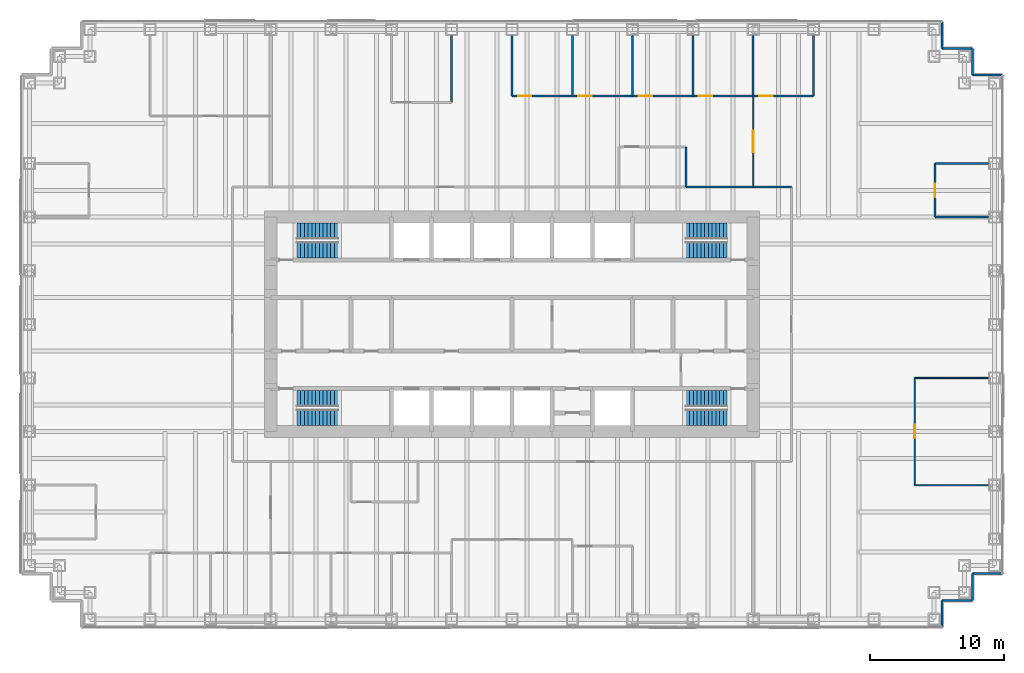
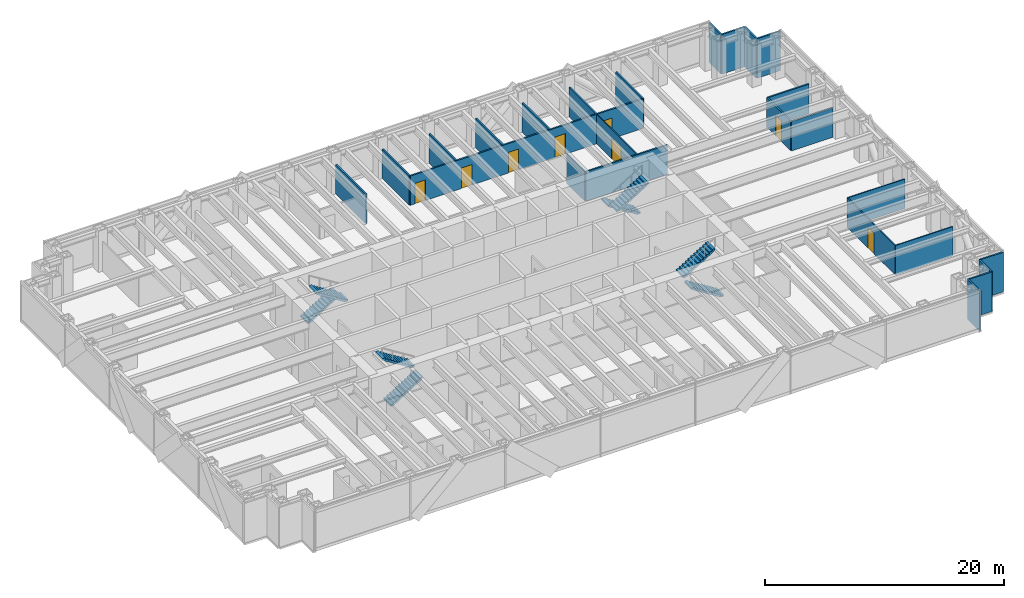
# One storey, part 14 of 15: 25 walls, 8 doors, 8 stair flights, 8 openings, 4 elements without a shape of their own.
"""IFC4 building model written with IfcOpenShell, lengths in metres."""

from ifc_helpers import new_model, si_unit, direction, frame, frame_2d, origin, place, context, subcontext, project, spatial, polyline, rectangle, outline, extrude, material, layer, layer_set, type_object, element, fill, aggregate, save


model = new_model("IFC4")

# Units and contexts
model_context = context("Model", 3, precision=1e-05, world=origin(), true_north=direction((0.0, 1.0)))
body_context = subcontext(model_context, "Body", "Model", "MODEL_VIEW")
ifc_project = project(units=[si_unit("LENGTHUNIT", "METRE"), si_unit("AREAUNIT", "SQUARE_METRE"), si_unit("VOLUMEUNIT", "CUBIC_METRE"), si_unit("PLANEANGLEUNIT", "RADIAN"), si_unit("MASSUNIT", "GRAM", prefix="KILO")], contexts=[model_context])

# Site, building, storey
site_placement = place(None, origin())
site = spatial("IfcSite", under=ifc_project, at=site_placement, CompositionType="ELEMENT")
building_placement = place(site_placement, origin())
building = spatial("IfcBuilding", under=site, at=building_placement, Name="Rheinbord Bourse Tower", CompositionType="ELEMENT")
storey_placement = place(building_placement, frame((0.0, 0.0, 163.5)))
storey = spatial("IfcBuildingStorey", under=building, at=storey_placement, Name="L36", CompositionType="ELEMENT", Elevation=163.5)

# Walls
ifc_material_1 = material(Name="Black metal rainscreen panel", Category="aluminium")
ifc_layer_1 = layer(ifc_material_1, 0.14990234375)
ifc_layer_set_1 = layer_set([ifc_layer_1], Name="CORNER PIER CLADDING 150")
wall_type_1 = type_object("IfcWallType", Name="CORNER PIER CLADDING 150", PredefinedType="ELEMENTEDWALL", material=ifc_layer_set_1)
wall_1_placement = place(storey_placement, frame((68.10009765625, 1.39990234375, 0.0), z_axis=(0.0, 0.0, 1.0), x_axis=(0.0, 1.0, 0.0)))
element("IfcWall", 1, at=wall_1_placement, inside=storey, type_object=wall_type_1, Name="Corner pier cladding L36 2", PredefinedType="ELEMENTEDWALL", context=body_context, shape_type="SweptSolid", body=[
    extrude(rectangle(XDim=2.0, YDim=0.14990234375, at=frame_2d((1.0, 0.0))), origin(), (0.0, 0.0, 1.0), 4.0400390625),
])
wall_2_placement = place(storey_placement, frame((68.10009765625, 3.39990234375, 0.0), z_axis=(0.0, 0.0, 1.0), x_axis=(1.0, 0.0, 0.0)))
element("IfcWall", 2, at=wall_2_placement, inside=storey, type_object=wall_type_1, Name="Corner pier cladding L36 3", PredefinedType="ELEMENTEDWALL", context=body_context, shape_type="SweptSolid", body=[
    extrude(rectangle(XDim=2.25, YDim=0.14990234375, at=frame_2d((1.125, 0.0))), origin(), (0.0, 0.0, 1.0), 4.0400390625),
])
wall_3_placement = place(storey_placement, frame((70.35009765625, 3.39990234375, 0.0), z_axis=(0.0, 0.0, 1.0), x_axis=(0.0, 1.0, 0.0)))
element("IfcWall", 3, at=wall_3_placement, inside=storey, type_object=wall_type_1, Name="Corner pier cladding L36 4", PredefinedType="ELEMENTEDWALL", context=body_context, shape_type="SweptSolid", body=[
    extrude(rectangle(XDim=2.0, YDim=0.14990234375, at=frame_2d((1.0, 0.0))), origin(), (0.0, 0.0, 1.0), 4.0400390625),
])
for number, where, z_axis, x_axis, name in (
    (4, (70.35009765625, 5.39990234375, 0.0), (0.0, 0.0, 1.0), (1.0, 0.0, 0.0), "Corner pier cladding L36 5"),
    (5, (72.60009765625, 42.60009765625, 0.0), (0.0, 0.0, 1.0), (-1.0, 0.0, 0.0), "Corner pier cladding L36 7"),
):
    element("IfcWall", number, at=place(storey_placement, frame(where, z_axis=z_axis, x_axis=x_axis)), inside=storey, type_object=wall_type_1, Name=name, PredefinedType="ELEMENTEDWALL", context=body_context, shape_type="SweptSolid", body=[
        extrude(rectangle(XDim=2.25, YDim=0.14990234375, at=frame_2d((1.125, 0.0))), origin(), (0.0, 0.0, 1.0), 4.0400390625),
    ])
wall_4_placement = place(storey_placement, frame((70.35009765625, 42.60009765625, 0.0), z_axis=(0.0, 0.0, 1.0), x_axis=(0.0, 1.0, 0.0)))
element("IfcWall", 6, at=wall_4_placement, inside=storey, type_object=wall_type_1, Name="Corner pier cladding L36 8", PredefinedType="ELEMENTEDWALL", context=body_context, shape_type="SweptSolid", body=[
    extrude(rectangle(XDim=2.0, YDim=0.14990234375, at=frame_2d((1.0, 0.0))), origin(), (0.0, 0.0, 1.0), 4.0400390625),
])
wall_5_placement = place(storey_placement, frame((70.35009765625, 44.60009765625, 0.0), z_axis=(0.0, 0.0, 1.0), x_axis=(-1.0, 0.0, 0.0)))
element("IfcWall", 7, at=wall_5_placement, inside=storey, type_object=wall_type_1, Name="Corner pier cladding L36 9", PredefinedType="ELEMENTEDWALL", context=body_context, shape_type="SweptSolid", body=[
    extrude(rectangle(XDim=2.25, YDim=0.14990234375, at=frame_2d((1.125, 0.0))), origin(), (0.0, 0.0, 1.0), 4.0400390625),
])
wall_6_placement = place(storey_placement, frame((68.10009765625, 44.60009765625, 0.0), z_axis=(0.0, 0.0, 1.0), x_axis=(0.0, 1.0, 0.0)))
element("IfcWall", 8, at=wall_6_placement, inside=storey, type_object=wall_type_1, Name="Corner pier cladding L36 10", PredefinedType="ELEMENTEDWALL", context=body_context, shape_type="SweptSolid", body=[
    extrude(rectangle(XDim=2.0, YDim=0.14990234375, at=frame_2d((1.0, 0.0))), origin(), (0.0, 0.0, 1.0), 4.0400390625),
])
ifc_material_2 = material(Name="Gypsum board corridor partition", Category="gypsum board")
ifc_layer_2 = layer(ifc_material_2, 0.14990234375)
ifc_layer_set_2 = layer_set([ifc_layer_2], Name="CORRIDOR PARTITION 150 EI30")
wall_type_2 = type_object("IfcWallType", Name="CORRIDOR PARTITION 150 EI30", PredefinedType="PARTITIONING", material=ifc_layer_set_2)
wall_7_placement = place(storey_placement, frame((49.0, 34.25, 0.0), z_axis=(0.0, 0.0, 1.0), x_axis=(1.0, 0.0, 0.0)))
element("IfcWall", 9, at=wall_7_placement, inside=storey, type_object=wall_type_2, Name="Partition L36-16", PredefinedType="PARTITIONING", context=body_context, shape_type="SweptSolid", body=[
    extrude(rectangle(XDim=7.85009765625, YDim=0.14990234375, at=frame_2d((3.925048828125, 0.0))), origin(), (0.0, 0.0, 1.0), 3.0),
])
ifc_material_3 = material(Name="Gypsum board fire partition", Category="gypsum board")
ifc_layer_3 = layer(ifc_material_3, 0.14990234375)
ifc_layer_set_3 = layer_set([ifc_layer_3], Name="FIRE PARTITION 150 EI60")
wall_type_3 = type_object("IfcWallType", Name="FIRE PARTITION 150 EI60", PredefinedType="PARTITIONING", material=ifc_layer_set_3)
wall_8_placement = place(storey_placement, frame((49.0, 34.25, 0.0), z_axis=(0.0, 0.0, 1.0), x_axis=(0.0, 1.0, 0.0)))
element("IfcWall", 10, at=wall_8_placement, inside=storey, type_object=wall_type_3, Name="Partition L36-47", PredefinedType="PARTITIONING", context=body_context, shape_type="SweptSolid", body=[
    extrude(rectangle(XDim=3.0, YDim=0.14990234375, at=frame_2d((1.5, 0.0))), origin(), (0.0, 0.0, 1.0), 3.0),
])
ifc_material_4 = material(Name="Toughened laminated glass partition", Category="glass")
ifc_layer_4 = layer(ifc_material_4, 0.10009765625)
ifc_layer_set_4 = layer_set([ifc_layer_4], Name="GLAZED PARTITION 100")
wall_type_4 = type_object("IfcWallType", Name="GLAZED PARTITION 100", PredefinedType="PARTITIONING", material=ifc_layer_set_4)
for number, where, z_axis, x_axis, name in (
    (11, (66.050048828125, 12.0, 0.0), (0.0, 0.0, 1.0), (1.0, 0.0, 0.0), "Partition L36-07"),
    (12, (66.050048828125, 20.0, 0.0), (0.0, 0.0, 1.0), (1.0, 0.0, 0.0), "Partition L36-11"),
):
    element("IfcWall", number, at=place(storey_placement, frame(where, z_axis=z_axis, x_axis=x_axis)), inside=storey, type_object=wall_type_4, Name=name, PredefinedType="PARTITIONING", context=body_context, shape_type="SweptSolid", body=[
        extrude(rectangle(XDim=5.5, YDim=0.10009765625, at=frame_2d((2.75, 0.0))), origin(), (0.0, 0.0, 1.0), 3.0),
    ])

# Wall, opening, door
wall_9_placement = place(storey_placement, frame((54.0, 34.25, 0.0), z_axis=(0.0, 0.0, 1.0), x_axis=(0.0, 1.0, 0.0)))
wall_9 = element("IfcWall", 13, at=wall_9_placement, inside=storey, type_object=wall_type_4, Name="Partition L36-50", PredefinedType="PARTITIONING", context=body_context, shape_type="SweptSolid", body=[
    extrude(rectangle(XDim=6.800048828125, YDim=0.10009765625, at=frame_2d((3.39990234375, 0.0))), origin(), (0.0, 0.0, 1.0), 3.0),
])
opening_1_placement = place(wall_9_placement, frame((2.60009765625, 0.0, 0.0)))
opening_1 = element("IfcOpeningElement", 14, at=opening_1_placement, cuts=wall_9, Name="Opening 36D22", PredefinedType="OPENING", context=body_context, shape_type="SweptSolid", body=[
    extrude(rectangle(XDim=1.60009765625, YDim=2.10009765625, at=frame_2d((0.800048828125, 1.050048828125))), frame((0.0, 0.06005859375, 0.0), z_axis=(0.0, -1.0, 0.0), x_axis=(1.0, 0.0, 0.0)), (0.0, 0.0, 1.0), 0.1201171875),
])
ifc_material_5 = material(Name="Timber door", Category="wood")
door_type_1 = type_object("IfcDoorType", Name="DOUBLE ROOM DOOR 1600", OperationType="DOUBLE_DOOR_DOUBLE_SWING", PredefinedType="DOOR", material=ifc_material_5)
door_1_placement = place(opening_1_placement, origin())
door_1 = element("IfcDoor", 15, at=door_1_placement, inside=storey, type_object=door_type_1, Name="Open area door L36", OperationType="SINGLE_SWING_LEFT", OverallHeight=2.10009765625, OverallWidth=1.60009765625, PredefinedType="DOOR", context=body_context, shape_type="SweptSolid", body=[
    extrude(rectangle(XDim=1.60009765625, YDim=2.10009765625, at=frame_2d((0.800048828125, 1.050048828125))), frame((0.0, 0.02490234375, 0.0), z_axis=(0.0, -1.0, 0.0), x_axis=(1.0, 0.0, 0.0)), (0.0, 0.0, 1.0), 0.050048828125),
])
fill(opening_1, door_1)

wall_10_placement = place(storey_placement, frame((66.050048828125, 12.0, 0.0), z_axis=(0.0, 0.0, 1.0), x_axis=(0.0, 1.0, 0.0)))
wall_10 = element("IfcWall", 16, at=wall_10_placement, inside=storey, type_object=wall_type_4, Name="Partition L36-54", PredefinedType="PARTITIONING", context=body_context, shape_type="SweptSolid", body=[
    extrude(rectangle(XDim=8.0, YDim=0.10009765625, at=frame_2d((4.0, 0.0))), origin(), (0.0, 0.0, 1.0), 3.0),
])
opening_2_placement = place(wall_10_placement, frame((3.5, 0.0, 0.0)))
opening_2 = element("IfcOpeningElement", 17, at=opening_2_placement, cuts=wall_10, Name="Opening 36D10", PredefinedType="OPENING", context=body_context, shape_type="SweptSolid", body=[
    extrude(rectangle(XDim=1.0, YDim=2.10009765625, at=frame_2d((0.5, 1.050048828125))), frame((0.0, 0.06005859375, 0.0), z_axis=(0.0, -1.0, 0.0), x_axis=(1.0, 0.0, 0.0)), (0.0, 0.0, 1.0), 0.1201171875),
])
ifc_material_6 = material(Name="Timber door", Category="wood")
door_type_2 = type_object("IfcDoorType", Name="ROOM DOOR 1000", OperationType="SINGLE_SWING_LEFT", PredefinedType="DOOR", material=ifc_material_6)
door_2_placement = place(opening_2_placement, origin())
door_2 = element("IfcDoor", 18, at=door_2_placement, inside=storey, type_object=door_type_2, Name="Meeting room door L36", OperationType="SINGLE_SWING_LEFT", OverallHeight=2.10009765625, OverallWidth=1.0, PredefinedType="DOOR", context=body_context, shape_type="SweptSolid", body=[
    extrude(rectangle(XDim=1.0, YDim=2.10009765625, at=frame_2d((0.5, 1.050048828125))), frame((0.0, 0.02490234375, 0.0), z_axis=(0.0, -1.0, 0.0), x_axis=(1.0, 0.0, 0.0)), (0.0, 0.0, 1.0), 0.050048828125),
])
fill(opening_2, door_2)

# Walls
ifc_material_7 = material(Name="Gypsum board partition", Category="gypsum board")
ifc_layer_5 = layer(ifc_material_7, 0.14990234375)
ifc_layer_set_5 = layer_set([ifc_layer_5], Name="PARTITION 150")
wall_type_5 = type_object("IfcWallType", Name="PARTITION 150", PredefinedType="PARTITIONING", material=ifc_layer_set_5)
for number, where, z_axis, x_axis, name in (
    (19, (67.550048828125, 32.0, 0.0), (0.0, 0.0, 1.0), (1.0, 0.0, 0.0), "Partition L36-13"),
    (20, (67.550048828125, 36.0, 0.0), (0.0, 0.0, 1.0), (1.0, 0.0, 0.0), "Partition L36-18"),
):
    element("IfcWall", number, at=place(storey_placement, frame(where, z_axis=z_axis, x_axis=x_axis)), inside=storey, type_object=wall_type_5, Name=name, PredefinedType="PARTITIONING", context=body_context, shape_type="SweptSolid", body=[
        extrude(rectangle(XDim=4.0, YDim=0.14990234375, at=frame_2d((2.0, 0.0))), origin(), (0.0, 0.0, 1.0), 3.0),
    ])

# Wall, openings, doors
wall_11_placement = place(storey_placement, frame((36.0, 41.050048828125, 0.0), z_axis=(0.0, 0.0, 1.0), x_axis=(1.0, 0.0, 0.0)))
wall_11 = element("IfcWall", 21, at=wall_11_placement, inside=storey, type_object=wall_type_5, Name="Partition L36-22", PredefinedType="PARTITIONING", context=body_context, shape_type="SweptSolid", body=[
    extrude(rectangle(XDim=22.5, YDim=0.14990234375, at=frame_2d((11.25, 0.0))), origin(), (0.0, 0.0, 1.0), 3.0),
])
opening_3_placement = place(wall_11_placement, frame((0.449951171875, 0.0, 0.0)))
opening_3 = element("IfcOpeningElement", 22, at=opening_3_placement, cuts=wall_11, Name="Opening 36D16", PredefinedType="OPENING", context=body_context, shape_type="SweptSolid", body=[
    extrude(rectangle(XDim=1.0, YDim=2.10009765625, at=frame_2d((0.5, 1.050048828125))), frame((0.0, 0.0849609375, 0.0), z_axis=(0.0, -1.0, 0.0), x_axis=(1.0, 0.0, 0.0)), (0.0, 0.0, 1.0), 0.169921875),
])
opening_4_placement = place(wall_11_placement, frame((4.949951171875, 0.0, 0.0)))
opening_4 = element("IfcOpeningElement", 23, at=opening_4_placement, cuts=wall_11, Name="Opening 36D17", PredefinedType="OPENING", context=body_context, shape_type="SweptSolid", body=[
    extrude(rectangle(XDim=1.0, YDim=2.10009765625, at=frame_2d((0.5, 1.050048828125))), frame((0.0, 0.0849609375, 0.0), z_axis=(0.0, -1.0, 0.0), x_axis=(1.0, 0.0, 0.0)), (0.0, 0.0, 1.0), 0.169921875),
])
opening_5_placement = place(wall_11_placement, frame((9.449951171875, 0.0, 0.0)))
opening_5 = element("IfcOpeningElement", 24, at=opening_5_placement, cuts=wall_11, Name="Opening 36D18", PredefinedType="OPENING", context=body_context, shape_type="SweptSolid", body=[
    extrude(rectangle(XDim=1.0, YDim=2.10009765625, at=frame_2d((0.5, 1.050048828125))), frame((0.0, 0.0849609375, 0.0), z_axis=(0.0, -1.0, 0.0), x_axis=(1.0, 0.0, 0.0)), (0.0, 0.0, 1.0), 0.169921875),
])
opening_6_placement = place(wall_11_placement, frame((13.949951171875, 0.0, 0.0)))
opening_6 = element("IfcOpeningElement", 25, at=opening_6_placement, cuts=wall_11, Name="Opening 36D19", PredefinedType="OPENING", context=body_context, shape_type="SweptSolid", body=[
    extrude(rectangle(XDim=1.0, YDim=2.10009765625, at=frame_2d((0.5, 1.050048828125))), frame((0.0, 0.0849609375, 0.0), z_axis=(0.0, -1.0, 0.0), x_axis=(1.0, 0.0, 0.0)), (0.0, 0.0, 1.0), 0.169921875),
])
opening_7_placement = place(wall_11_placement, frame((18.449951171875, 0.0, 0.0)))
opening_7 = element("IfcOpeningElement", 26, at=opening_7_placement, cuts=wall_11, Name="Opening 36D20", PredefinedType="OPENING", context=body_context, shape_type="SweptSolid", body=[
    extrude(rectangle(XDim=1.0, YDim=2.10009765625, at=frame_2d((0.5, 1.050048828125))), frame((0.0, 0.0849609375, 0.0), z_axis=(0.0, -1.0, 0.0), x_axis=(1.0, 0.0, 0.0)), (0.0, 0.0, 1.0), 0.169921875),
])
door_3_placement = place(opening_3_placement, origin())
door_3 = element("IfcDoor", 27, at=door_3_placement, inside=storey, type_object=door_type_2, Name="Office door L36", OperationType="SINGLE_SWING_LEFT", OverallHeight=2.10009765625, OverallWidth=1.0, PredefinedType="DOOR", context=body_context, shape_type="SweptSolid", body=[
    extrude(rectangle(XDim=1.0, YDim=2.10009765625, at=frame_2d((0.5, 1.050048828125))), frame((0.0, 0.02490234375, 0.0), z_axis=(0.0, -1.0, 0.0), x_axis=(1.0, 0.0, 0.0)), (0.0, 0.0, 1.0), 0.050048828125),
])
fill(opening_3, door_3)
door_4_placement = place(opening_4_placement, origin())
door_4 = element("IfcDoor", 28, at=door_4_placement, inside=storey, type_object=door_type_2, Name="Office door L36", OperationType="SINGLE_SWING_LEFT", OverallHeight=2.10009765625, OverallWidth=1.0, PredefinedType="DOOR", context=body_context, shape_type="SweptSolid", body=[
    extrude(rectangle(XDim=1.0, YDim=2.10009765625, at=frame_2d((0.5, 1.050048828125))), frame((0.0, 0.02490234375, 0.0), z_axis=(0.0, -1.0, 0.0), x_axis=(1.0, 0.0, 0.0)), (0.0, 0.0, 1.0), 0.050048828125),
])
fill(opening_4, door_4)
door_5_placement = place(opening_5_placement, origin())
door_5 = element("IfcDoor", 29, at=door_5_placement, inside=storey, type_object=door_type_2, Name="Office door L36", OperationType="SINGLE_SWING_LEFT", OverallHeight=2.10009765625, OverallWidth=1.0, PredefinedType="DOOR", context=body_context, shape_type="SweptSolid", body=[
    extrude(rectangle(XDim=1.0, YDim=2.10009765625, at=frame_2d((0.5, 1.050048828125))), frame((0.0, 0.02490234375, 0.0), z_axis=(0.0, -1.0, 0.0), x_axis=(1.0, 0.0, 0.0)), (0.0, 0.0, 1.0), 0.050048828125),
])
fill(opening_5, door_5)
door_6_placement = place(opening_6_placement, origin())
door_6 = element("IfcDoor", 30, at=door_6_placement, inside=storey, type_object=door_type_2, Name="Office door L36", OperationType="SINGLE_SWING_RIGHT", OverallHeight=2.10009765625, OverallWidth=1.0, PredefinedType="DOOR", context=body_context, shape_type="SweptSolid", body=[
    extrude(rectangle(XDim=1.0, YDim=2.10009765625, at=frame_2d((0.5, 1.050048828125))), frame((0.0, 0.02490234375, 0.0), z_axis=(0.0, -1.0, 0.0), x_axis=(1.0, 0.0, 0.0)), (0.0, 0.0, 1.0), 0.050048828125),
])
fill(opening_6, door_6)
door_7_placement = place(opening_7_placement, origin())
door_7 = element("IfcDoor", 31, at=door_7_placement, inside=storey, type_object=door_type_2, Name="Office door L36", OperationType="SINGLE_SWING_RIGHT", OverallHeight=2.10009765625, OverallWidth=1.0, PredefinedType="DOOR", context=body_context, shape_type="SweptSolid", body=[
    extrude(rectangle(XDim=1.0, YDim=2.10009765625, at=frame_2d((0.5, 1.050048828125))), frame((0.0, 0.02490234375, 0.0), z_axis=(0.0, -1.0, 0.0), x_axis=(1.0, 0.0, 0.0)), (0.0, 0.0, 1.0), 0.050048828125),
])
fill(opening_7, door_7)

# Walls
wall_12_placement = place(storey_placement, frame((31.5, 40.550048828125, 0.0), z_axis=(0.0, 0.0, 1.0), x_axis=(0.0, 1.0, 0.0)))
element("IfcWall", 32, at=wall_12_placement, inside=storey, type_object=wall_type_5, Name="Partition L36-39", PredefinedType="PARTITIONING", context=body_context, shape_type="SweptSolid", body=[
    extrude(rectangle(XDim=5.0, YDim=0.14990234375, at=frame_2d((2.5, 0.0))), origin(), (0.0, 0.0, 1.0), 3.0),
])
for number, where, z_axis, x_axis, name in (
    (33, (36.0, 41.050048828125, 0.0), (0.0, 0.0, 1.0), (0.0, 1.0, 0.0), "Partition L36-40"),
    (34, (40.5, 41.050048828125, 0.0), (0.0, 0.0, 1.0), (0.0, 1.0, 0.0), "Partition L36-43"),
    (35, (45.0, 41.050048828125, 0.0), (0.0, 0.0, 1.0), (0.0, 1.0, 0.0), "Partition L36-46"),
    (36, (49.5, 41.050048828125, 0.0), (0.0, 0.0, 1.0), (0.0, 1.0, 0.0), "Partition L36-48"),
    (37, (54.0, 41.050048828125, 0.0), (0.0, 0.0, 1.0), (0.0, 1.0, 0.0), "Partition L36-51"),
    (38, (58.5, 41.050048828125, 0.0), (0.0, 0.0, 1.0), (0.0, 1.0, 0.0), "Partition L36-53"),
):
    element("IfcWall", number, at=place(storey_placement, frame(where, z_axis=z_axis, x_axis=x_axis)), inside=storey, type_object=wall_type_5, Name=name, PredefinedType="PARTITIONING", context=body_context, shape_type="SweptSolid", body=[
        extrude(rectangle(XDim=4.5, YDim=0.14990234375, at=frame_2d((2.25, 0.0))), origin(), (0.0, 0.0, 1.0), 3.0),
    ])

# Wall, opening, door
wall_13_placement = place(storey_placement, frame((67.550048828125, 32.0, 0.0), z_axis=(0.0, 0.0, 1.0), x_axis=(0.0, 1.0, 0.0)))
wall_13 = element("IfcWall", 39, at=wall_13_placement, inside=storey, type_object=wall_type_5, Name="Partition L36-55", PredefinedType="PARTITIONING", context=body_context, shape_type="SweptSolid", body=[
    extrude(rectangle(XDim=4.0, YDim=0.14990234375, at=frame_2d((2.0, 0.0))), origin(), (0.0, 0.0, 1.0), 3.0),
])
opening_8_placement = place(wall_13_placement, frame((1.5, 0.0, 0.0)))
opening_8 = element("IfcOpeningElement", 40, at=opening_8_placement, cuts=wall_13, Name="Opening 36D12", PredefinedType="OPENING", context=body_context, shape_type="SweptSolid", body=[
    extrude(rectangle(XDim=1.0, YDim=2.10009765625, at=frame_2d((0.5, 1.050048828125))), frame((0.0, 0.0849609375, 0.0), z_axis=(0.0, -1.0, 0.0), x_axis=(1.0, 0.0, 0.0)), (0.0, 0.0, 1.0), 0.169921875),
])
door_8_placement = place(opening_8_placement, origin())
door_8 = element("IfcDoor", 41, at=door_8_placement, inside=storey, type_object=door_type_2, Name="Store door L36", OperationType="SINGLE_SWING_LEFT", OverallHeight=2.10009765625, OverallWidth=1.0, PredefinedType="DOOR", context=body_context, shape_type="SweptSolid", body=[
    extrude(rectangle(XDim=1.0, YDim=2.10009765625, at=frame_2d((0.5, 1.050048828125))), frame((0.0, 0.02490234375, 0.0), z_axis=(0.0, -1.0, 0.0), x_axis=(1.0, 0.0, 0.0)), (0.0, 0.0, 1.0), 0.050048828125),
])
fill(opening_8, door_8)

# Stair, stair flights
ifc_material_8 = material(Name="Concrete C30/37", Category="concrete")
stair_type = type_object("IfcStairType", Name="CORE STAIR HALF TURN 4200", PredefinedType="HALF_TURN_STAIR", material=ifc_material_8)
stair_1_placement = place(storey_placement, origin())
stair_1 = element("IfcStair", 42, at=stair_1_placement, inside=storey, type_object=stair_type, Name="Stair ST1 L36, type CS6", PredefinedType="HALF_TURN_STAIR")
ifc_material_9 = material(Name="Concrete C30/37", Category="concrete")
stair_flight_type = type_object("IfcStairFlightType", Name="CORE STAIR FLIGHT 1200, 12 RISERS", PredefinedType="STRAIGHT", material=ifc_material_9)
stair_flight_1_placement = place(storey_placement, frame((19.949951171875, 17.050048828125, 0.0), z_axis=(0.0, 0.0, 1.0), x_axis=(1.0, 0.0, 0.0)))
stair_flight_1 = element("IfcStairFlight", 43, at=stair_flight_1_placement, type_object=stair_flight_type, Name="STAIR L36 ST1 F1", NumberOfRisers=12, NumberOfTreads=11, PredefinedType="STRAIGHT", RiserHeight=0.175, TreadLength=0.28, context=body_context, shape_type="SweptSolid", body=[
    extrude(outline(polyline([(0.0, 0.0), (0.0, 0.175048828125), (0.280029296875, 0.175048828125), (0.280029296875, 0.35009765625), (0.56005859375, 0.35009765625), (0.56005859375, 0.52490234375), (0.840087890625, 0.52490234375), (0.840087890625, 0.699951171875), (1.1201171875, 0.699951171875), (1.1201171875, 0.875), (1.39990234375, 0.875), (1.39990234375, 1.050048828125), (1.679931640625, 1.050048828125), (1.679931640625, 1.22509765625), (1.9599609375, 1.22509765625), (1.9599609375, 1.39990234375), (2.239990234375, 1.39990234375), (2.239990234375, 1.574951171875), (2.52001953125, 1.574951171875), (2.52001953125, 1.75), (2.800048828125, 1.75), (2.800048828125, 1.925048828125), (3.080078125, 1.925048828125), (3.080078125, 2.10009765625), (3.080078125, 1.748291015625), (0.28271484375, 0.0), (0.0, 0.0)])), frame((0.0, 0.60009765625, 0.0), z_axis=(0.0, -1.0, 0.0), x_axis=(1.0, 0.0, 0.0)), (0.0, 0.0, 1.0), 1.199951171875),
])
stair_flight_2_placement = place(storey_placement, frame((23.030029296875, 18.449951171875, 2.10009765625), z_axis=(0.0, 0.0, 1.0), x_axis=(-1.0, 0.0, 0.0)))
stair_flight_2 = element("IfcStairFlight", 44, at=stair_flight_2_placement, type_object=stair_flight_type, Name="STAIR L36 ST1 F2", NumberOfRisers=12, NumberOfTreads=11, PredefinedType="STRAIGHT", RiserHeight=0.175, TreadLength=0.28, context=body_context, shape_type="SweptSolid", body=[
    extrude(outline(polyline([(0.0, 0.0), (0.0, 0.175048828125), (0.280029296875, 0.175048828125), (0.280029296875, 0.35009765625), (0.56005859375, 0.35009765625), (0.56005859375, 0.52490234375), (0.840087890625, 0.52490234375), (0.840087890625, 0.699951171875), (1.1201171875, 0.699951171875), (1.1201171875, 0.875), (1.39990234375, 0.875), (1.39990234375, 1.050048828125), (1.679931640625, 1.050048828125), (1.679931640625, 1.22509765625), (1.9599609375, 1.22509765625), (1.9599609375, 1.39990234375), (2.239990234375, 1.39990234375), (2.239990234375, 1.574951171875), (2.52001953125, 1.574951171875), (2.52001953125, 1.75), (2.800048828125, 1.75), (2.800048828125, 1.925048828125), (3.080078125, 1.925048828125), (3.080078125, 2.10009765625), (3.080078125, 1.748291015625), (0.28271484375, 0.0), (0.0, 0.0)])), frame((0.0, 0.60009765625, 0.0), z_axis=(0.0, -1.0, 0.0), x_axis=(1.0, 0.0, 0.0)), (0.0, 0.0, 1.0), 1.199951171875),
])
aggregate(stair_1, [stair_flight_1, stair_flight_2])

stair_2_placement = place(storey_placement, origin())
stair_2 = element("IfcStair", 45, at=stair_2_placement, inside=storey, type_object=stair_type, Name="Stair ST2 L36, type CS6", PredefinedType="HALF_TURN_STAIR")
stair_flight_3_placement = place(storey_placement, frame((19.949951171875, 30.949951171875, 0.0), z_axis=(0.0, 0.0, 1.0), x_axis=(1.0, 0.0, 0.0)))
stair_flight_3 = element("IfcStairFlight", 46, at=stair_flight_3_placement, type_object=stair_flight_type, Name="STAIR L36 ST2 F1", NumberOfRisers=12, NumberOfTreads=11, PredefinedType="STRAIGHT", RiserHeight=0.175, TreadLength=0.28, context=body_context, shape_type="SweptSolid", body=[
    extrude(outline(polyline([(0.0, 0.0), (0.0, 0.175048828125), (0.280029296875, 0.175048828125), (0.280029296875, 0.35009765625), (0.56005859375, 0.35009765625), (0.56005859375, 0.52490234375), (0.840087890625, 0.52490234375), (0.840087890625, 0.699951171875), (1.1201171875, 0.699951171875), (1.1201171875, 0.875), (1.39990234375, 0.875), (1.39990234375, 1.050048828125), (1.679931640625, 1.050048828125), (1.679931640625, 1.22509765625), (1.9599609375, 1.22509765625), (1.9599609375, 1.39990234375), (2.239990234375, 1.39990234375), (2.239990234375, 1.574951171875), (2.52001953125, 1.574951171875), (2.52001953125, 1.75), (2.800048828125, 1.75), (2.800048828125, 1.925048828125), (3.080078125, 1.925048828125), (3.080078125, 2.10009765625), (3.080078125, 1.748291015625), (0.28271484375, 0.0), (0.0, 0.0)])), frame((0.0, 0.60009765625, 0.0), z_axis=(0.0, -1.0, 0.0), x_axis=(1.0, 0.0, 0.0)), (0.0, 0.0, 1.0), 1.199951171875),
])
stair_flight_4_placement = place(storey_placement, frame((23.030029296875, 29.550048828125, 2.10009765625), z_axis=(0.0, 0.0, 1.0), x_axis=(-1.0, 0.0, 0.0)))
stair_flight_4 = element("IfcStairFlight", 47, at=stair_flight_4_placement, type_object=stair_flight_type, Name="STAIR L36 ST2 F2", NumberOfRisers=12, NumberOfTreads=11, PredefinedType="STRAIGHT", RiserHeight=0.175, TreadLength=0.28, context=body_context, shape_type="SweptSolid", body=[
    extrude(outline(polyline([(0.0, 0.0), (0.0, 0.175048828125), (0.280029296875, 0.175048828125), (0.280029296875, 0.35009765625), (0.56005859375, 0.35009765625), (0.56005859375, 0.52490234375), (0.840087890625, 0.52490234375), (0.840087890625, 0.699951171875), (1.1201171875, 0.699951171875), (1.1201171875, 0.875), (1.39990234375, 0.875), (1.39990234375, 1.050048828125), (1.679931640625, 1.050048828125), (1.679931640625, 1.22509765625), (1.9599609375, 1.22509765625), (1.9599609375, 1.39990234375), (2.239990234375, 1.39990234375), (2.239990234375, 1.574951171875), (2.52001953125, 1.574951171875), (2.52001953125, 1.75), (2.800048828125, 1.75), (2.800048828125, 1.925048828125), (3.080078125, 1.925048828125), (3.080078125, 2.10009765625), (3.080078125, 1.748291015625), (0.28271484375, 0.0), (0.0, 0.0)])), frame((0.0, 0.60009765625, 0.0), z_axis=(0.0, -1.0, 0.0), x_axis=(1.0, 0.0, 0.0)), (0.0, 0.0, 1.0), 1.199951171875),
])
aggregate(stair_2, [stair_flight_3, stair_flight_4])

stair_3_placement = place(storey_placement, origin())
stair_3 = element("IfcStair", 48, at=stair_3_placement, inside=storey, type_object=stair_type, Name="Stair ST3 L36, type CS6", PredefinedType="HALF_TURN_STAIR")
stair_flight_5_placement = place(storey_placement, frame((52.050048828125, 17.050048828125, 0.0), z_axis=(0.0, 0.0, 1.0), x_axis=(-1.0, 0.0, 0.0)))
stair_flight_5 = element("IfcStairFlight", 49, at=stair_flight_5_placement, type_object=stair_flight_type, Name="STAIR L36 ST3 F1", NumberOfRisers=12, NumberOfTreads=11, PredefinedType="STRAIGHT", RiserHeight=0.175, TreadLength=0.28, context=body_context, shape_type="SweptSolid", body=[
    extrude(outline(polyline([(0.0, 0.0), (0.0, 0.175048828125), (0.280029296875, 0.175048828125), (0.280029296875, 0.35009765625), (0.56005859375, 0.35009765625), (0.56005859375, 0.52490234375), (0.840087890625, 0.52490234375), (0.840087890625, 0.699951171875), (1.1201171875, 0.699951171875), (1.1201171875, 0.875), (1.39990234375, 0.875), (1.39990234375, 1.050048828125), (1.679931640625, 1.050048828125), (1.679931640625, 1.22509765625), (1.9599609375, 1.22509765625), (1.9599609375, 1.39990234375), (2.239990234375, 1.39990234375), (2.239990234375, 1.574951171875), (2.52001953125, 1.574951171875), (2.52001953125, 1.75), (2.800048828125, 1.75), (2.800048828125, 1.925048828125), (3.080078125, 1.925048828125), (3.080078125, 2.10009765625), (3.080078125, 1.748291015625), (0.28271484375, 0.0), (0.0, 0.0)])), frame((0.0, 0.60009765625, 0.0), z_axis=(0.0, -1.0, 0.0), x_axis=(1.0, 0.0, 0.0)), (0.0, 0.0, 1.0), 1.199951171875),
])
stair_flight_6_placement = place(storey_placement, frame((48.969970703125, 18.449951171875, 2.10009765625), z_axis=(0.0, 0.0, 1.0), x_axis=(1.0, 0.0, 0.0)))
stair_flight_6 = element("IfcStairFlight", 50, at=stair_flight_6_placement, type_object=stair_flight_type, Name="STAIR L36 ST3 F2", NumberOfRisers=12, NumberOfTreads=11, PredefinedType="STRAIGHT", RiserHeight=0.175, TreadLength=0.28, context=body_context, shape_type="SweptSolid", body=[
    extrude(outline(polyline([(0.0, 0.0), (0.0, 0.175048828125), (0.280029296875, 0.175048828125), (0.280029296875, 0.35009765625), (0.56005859375, 0.35009765625), (0.56005859375, 0.52490234375), (0.840087890625, 0.52490234375), (0.840087890625, 0.699951171875), (1.1201171875, 0.699951171875), (1.1201171875, 0.875), (1.39990234375, 0.875), (1.39990234375, 1.050048828125), (1.679931640625, 1.050048828125), (1.679931640625, 1.22509765625), (1.9599609375, 1.22509765625), (1.9599609375, 1.39990234375), (2.239990234375, 1.39990234375), (2.239990234375, 1.574951171875), (2.52001953125, 1.574951171875), (2.52001953125, 1.75), (2.800048828125, 1.75), (2.800048828125, 1.925048828125), (3.080078125, 1.925048828125), (3.080078125, 2.10009765625), (3.080078125, 1.748291015625), (0.28271484375, 0.0), (0.0, 0.0)])), frame((0.0, 0.60009765625, 0.0), z_axis=(0.0, -1.0, 0.0), x_axis=(1.0, 0.0, 0.0)), (0.0, 0.0, 1.0), 1.199951171875),
])
aggregate(stair_3, [stair_flight_5, stair_flight_6])

stair_4_placement = place(storey_placement, origin())
stair_4 = element("IfcStair", 51, at=stair_4_placement, inside=storey, type_object=stair_type, Name="Stair ST4 L36, type CS6", PredefinedType="HALF_TURN_STAIR")
stair_flight_7_placement = place(storey_placement, frame((52.050048828125, 30.949951171875, 0.0), z_axis=(0.0, 0.0, 1.0), x_axis=(-1.0, 0.0, 0.0)))
stair_flight_7 = element("IfcStairFlight", 52, at=stair_flight_7_placement, type_object=stair_flight_type, Name="STAIR L36 ST4 F1", NumberOfRisers=12, NumberOfTreads=11, PredefinedType="STRAIGHT", RiserHeight=0.175, TreadLength=0.28, context=body_context, shape_type="SweptSolid", body=[
    extrude(outline(polyline([(0.0, 0.0), (0.0, 0.175048828125), (0.280029296875, 0.175048828125), (0.280029296875, 0.35009765625), (0.56005859375, 0.35009765625), (0.56005859375, 0.52490234375), (0.840087890625, 0.52490234375), (0.840087890625, 0.699951171875), (1.1201171875, 0.699951171875), (1.1201171875, 0.875), (1.39990234375, 0.875), (1.39990234375, 1.050048828125), (1.679931640625, 1.050048828125), (1.679931640625, 1.22509765625), (1.9599609375, 1.22509765625), (1.9599609375, 1.39990234375), (2.239990234375, 1.39990234375), (2.239990234375, 1.574951171875), (2.52001953125, 1.574951171875), (2.52001953125, 1.75), (2.800048828125, 1.75), (2.800048828125, 1.925048828125), (3.080078125, 1.925048828125), (3.080078125, 2.10009765625), (3.080078125, 1.748291015625), (0.28271484375, 0.0), (0.0, 0.0)])), frame((0.0, 0.60009765625, 0.0), z_axis=(0.0, -1.0, 0.0), x_axis=(1.0, 0.0, 0.0)), (0.0, 0.0, 1.0), 1.199951171875),
])
stair_flight_8_placement = place(storey_placement, frame((48.969970703125, 29.550048828125, 2.10009765625), z_axis=(0.0, 0.0, 1.0), x_axis=(1.0, 0.0, 0.0)))
stair_flight_8 = element("IfcStairFlight", 53, at=stair_flight_8_placement, type_object=stair_flight_type, Name="STAIR L36 ST4 F2", NumberOfRisers=12, NumberOfTreads=11, PredefinedType="STRAIGHT", RiserHeight=0.175, TreadLength=0.28, context=body_context, shape_type="SweptSolid", body=[
    extrude(outline(polyline([(0.0, 0.0), (0.0, 0.175048828125), (0.280029296875, 0.175048828125), (0.280029296875, 0.35009765625), (0.56005859375, 0.35009765625), (0.56005859375, 0.52490234375), (0.840087890625, 0.52490234375), (0.840087890625, 0.699951171875), (1.1201171875, 0.699951171875), (1.1201171875, 0.875), (1.39990234375, 0.875), (1.39990234375, 1.050048828125), (1.679931640625, 1.050048828125), (1.679931640625, 1.22509765625), (1.9599609375, 1.22509765625), (1.9599609375, 1.39990234375), (2.239990234375, 1.39990234375), (2.239990234375, 1.574951171875), (2.52001953125, 1.574951171875), (2.52001953125, 1.75), (2.800048828125, 1.75), (2.800048828125, 1.925048828125), (3.080078125, 1.925048828125), (3.080078125, 2.10009765625), (3.080078125, 1.748291015625), (0.28271484375, 0.0), (0.0, 0.0)])), frame((0.0, 0.60009765625, 0.0), z_axis=(0.0, -1.0, 0.0), x_axis=(1.0, 0.0, 0.0)), (0.0, 0.0, 1.0), 1.199951171875),
])
aggregate(stair_4, [stair_flight_7, stair_flight_8])

save(model, "model.ifc")
